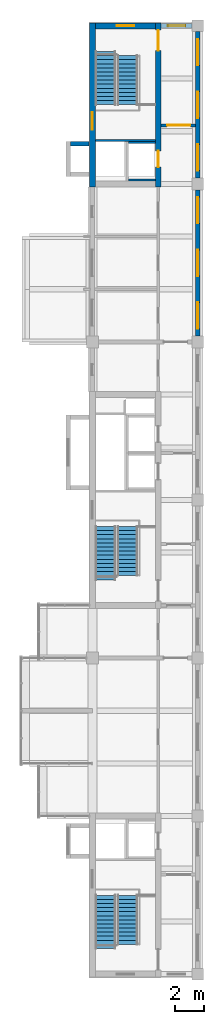
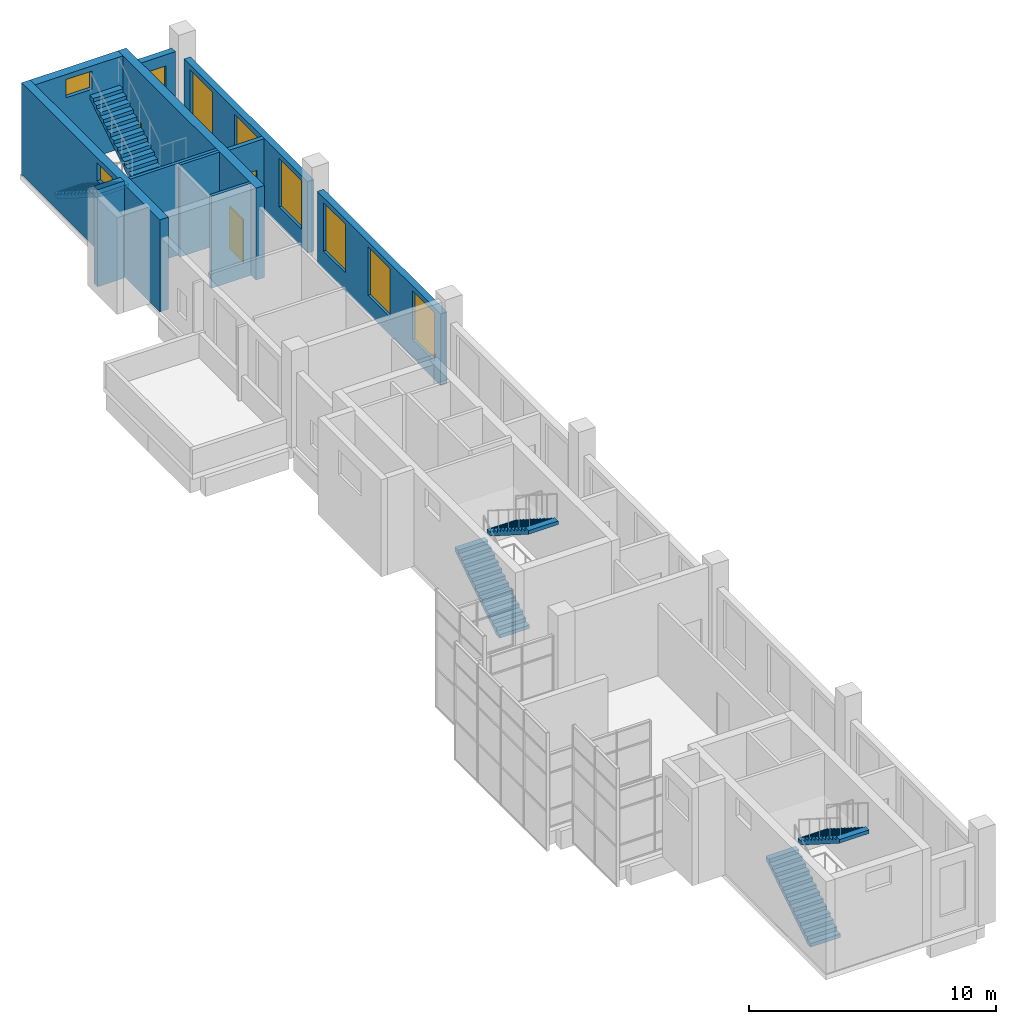
# One storey, part 8 of 9: 11 walls, 9 windows, 6 stair flights, 3 doors, 12 openings, 3 elements without a shape of their own.
"""IFC4 building model written with IfcOpenShell, lengths in metres."""

from ifc_helpers import new_model, si_unit, direction, frame, frame_2d, origin, place, context, subcontext, project, spatial, polyline, rectangle, outline, extrude, material, layer, layer_set, type_object, element, fill, aggregate, save


model = new_model("IFC4")

# Units and contexts
model_context = context("Model", 3, precision=1e-05, world=origin(), true_north=direction((0.0, 1.0)))
body_context = subcontext(model_context, "Body", "Model", "MODEL_VIEW")
ifc_project = project(units=[si_unit("LENGTHUNIT", "METRE"), si_unit("AREAUNIT", "SQUARE_METRE"), si_unit("VOLUMEUNIT", "CUBIC_METRE"), si_unit("PLANEANGLEUNIT", "RADIAN"), si_unit("MASSUNIT", "GRAM", prefix="KILO")], contexts=[model_context])

# Site, building, storey
site_placement = place(None, origin())
site = spatial("IfcSite", under=ifc_project, at=site_placement, CompositionType="ELEMENT")
building_placement = place(site_placement, origin())
building = spatial("IfcBuilding", under=site, at=building_placement, Name="Basin Gate Institute", CompositionType="ELEMENT")
storey_placement = place(building_placement, frame((0.0, 0.0, 70.199951171875)))
storey = spatial("IfcBuildingStorey", under=building, at=storey_placement, Name="L14", CompositionType="ELEMENT", Elevation=70.199951171875)

# Wall, opening, door
ifc_material_1 = material(Name="Fire-rated masonry", Category="masonry")
ifc_layer_1 = layer(ifc_material_1, 0.199951171875)
ifc_layer_set_1 = layer_set([ifc_layer_1], Name="Enclosure wall PW2 200 EI 60")
wall_type_1 = type_object("IfcWallType", Name="Enclosure wall PW2 200 EI 60", PredefinedType="PARTITIONING", material=ifc_layer_set_1)
wall_1_placement = place(storey_placement, frame((65.89990234375, 93.10009765625, 0.0), z_axis=(0.0, 0.0, 1.0), x_axis=(1.0, 0.0, 0.0)))
wall_1 = element("IfcWall", 1, at=wall_1_placement, inside=storey, type_object=wall_type_1, material=ifc_layer_set_1, Name="Smoke lobby enclosure wall PW2 L14", PredefinedType="PARTITIONING", context=body_context, shape_type="SweptSolid", body=[
    extrude(rectangle(XDim=2.35009765625, YDim=0.199951171875, at=frame_2d((1.175048828125, 0.0))), origin(), (0.0, 0.0, 1.0), 3.550048828125),
])
opening_1_placement = place(wall_1_placement, frame((0.39990234375, 0.0, 0.0)))
opening_1 = element("IfcOpeningElement", 2, at=opening_1_placement, cuts=wall_1, Name="Opening DR528", PredefinedType="OPENING", context=body_context, shape_type="SweptSolid", body=[
    extrude(rectangle(XDim=1.60009765625, YDim=2.10009765625, at=frame_2d((0.800048828125, 1.050048828125))), frame((0.0, 0.10986328125, 0.0), z_axis=(0.0, -1.0, 0.0), x_axis=(1.0, 0.0, 0.0)), (0.0, 0.0, 1.0), 0.219970703125),
])
ifc_material_2 = material(Name="Steel fire door", Category="steel")
door_type_1 = type_object("IfcDoorType", Name="FD60 Smoke lobby door pair D8", OperationType="DOUBLE_DOOR_SINGLE_SWING", PredefinedType="DOOR", material=ifc_material_2)
door_1_placement = place(opening_1_placement, origin())
door_1 = element("IfcDoor", 3, at=door_1_placement, inside=storey, type_object=door_type_1, material=ifc_material_2, Name="Smoke lobby door SS3 L14", OperationType="DOUBLE_DOOR_SINGLE_SWING", OverallHeight=2.10009765625, OverallWidth=1.60009765625, PredefinedType="DOOR", context=body_context, shape_type="SweptSolid", body=[
    extrude(rectangle(XDim=1.60009765625, YDim=2.10009765625, at=frame_2d((0.800048828125, 1.050048828125))), frame((0.0, 0.02490234375, 0.0), z_axis=(0.0, -1.0, 0.0), x_axis=(1.0, 0.0, 0.0)), (0.0, 0.0, 1.0), 0.050048828125),
])
fill(opening_1, door_1)

# Wall, opening, window
ifc_material_3 = material(Name="Aluminium-faced insulated panel wall", Category="aluminium")
ifc_layer_2 = layer(ifc_material_3, 0.300048828125)
ifc_layer_set_2 = layer_set([ifc_layer_2], Name="External wall EW5 EI 60")
wall_type_2 = type_object("IfcWallType", Name="External wall EW5 EI 60", PredefinedType="STANDARD", material=ifc_layer_set_2)
wall_2_placement = place(storey_placement, frame((65.89990234375, 99.89990234375, 0.0), z_axis=(0.0, 0.0, 1.0), x_axis=(1.0, 0.0, 0.0)))
wall_2 = element("IfcWall", 4, at=wall_2_placement, inside=storey, type_object=wall_type_2, material=ifc_layer_set_2, Name="External end wall W wing north L14 1", PredefinedType="STANDARD", context=body_context, shape_type="SweptSolid", body=[
    extrude(rectangle(XDim=2.10009765625, YDim=0.300048828125, at=frame_2d((1.050048828125, 0.0))), origin(), (0.0, 0.0, 1.0), 3.85009765625),
])
opening_2_placement = place(wall_2_placement, frame((0.449951171875, 0.0, 0.89990234375)))
opening_2 = element("IfcOpeningElement", 5, at=opening_2_placement, cuts=wall_2, Name="Opening WN4", PredefinedType="OPENING", context=body_context, shape_type="SweptSolid", body=[
    extrude(rectangle(XDim=1.199951171875, YDim=2.39990234375, at=frame_2d((0.60009765625, 1.199951171875))), frame((0.0, 0.16015625, 0.0), z_axis=(0.0, -1.0, 0.0), x_axis=(1.0, 0.0, 0.0)), (0.0, 0.0, 1.0), 0.320068359375),
])
ifc_material_4 = material(Name="Aluminium-framed double glazing", Category="aluminium")
window_type_1 = type_object("IfcWindowType", Name="Corridor end window WN4", PartitioningType="SINGLE_PANEL", PredefinedType="WINDOW", material=ifc_material_4)
window_1_placement = place(opening_2_placement, origin())
window_1 = element("IfcWindow", 6, at=window_1_placement, inside=storey, type_object=window_type_1, material=ifc_material_4, Name="Corridor end window W wing N L14", OverallHeight=2.39990234375, OverallWidth=1.199951171875, PartitioningType="SINGLE_PANEL", PredefinedType="WINDOW", context=body_context, shape_type="SweptSolid", body=[
    extrude(rectangle(XDim=1.199951171875, YDim=2.39990234375, at=frame_2d((0.60009765625, 1.199951171875))), frame((0.0, 0.030029296875, 0.0), z_axis=(0.0, -1.0, 0.0), x_axis=(1.0, 0.0, 0.0)), (0.0, 0.0, 1.0), 0.06005859375),
])
fill(opening_2, window_1)

# Wall, openings, windows
wall_3_placement = place(storey_placement, frame((68.39990234375, 78.699951171875, 0.0), z_axis=(0.0, 0.0, 1.0), x_axis=(0.0, 1.0, 0.0)))
wall_3 = element("IfcWall", 7, at=wall_3_placement, inside=storey, type_object=wall_type_2, material=ifc_layer_set_2, Name="External wall W step face L14 bay 5", PredefinedType="STANDARD", context=body_context, shape_type="SweptSolid", body=[
    extrude(rectangle(XDim=10.0, YDim=0.300048828125, at=frame_2d((5.0, 0.0))), origin(), (0.0, 0.0, 1.0), 3.550048828125),
])
opening_3_placement = place(wall_3_placement, frame((0.5, 0.0, 0.89990234375)))
opening_3 = element("IfcOpeningElement", 8, at=opening_3_placement, cuts=wall_3, Name="Opening WN1", PredefinedType="OPENING", context=body_context, shape_type="SweptSolid", body=[
    extrude(rectangle(XDim=1.800048828125, YDim=2.39990234375, at=frame_2d((0.89990234375, 1.199951171875))), frame((0.0, 0.16015625, 0.0), z_axis=(0.0, -1.0, 0.0), x_axis=(1.0, 0.0, 0.0)), (0.0, 0.0, 1.0), 0.320068359375),
])
opening_4_placement = place(wall_3_placement, frame((4.10009765625, 0.0, 0.89990234375)))
opening_4 = element("IfcOpeningElement", 9, at=opening_4_placement, cuts=wall_3, Name="Opening WV1", PredefinedType="OPENING", context=body_context, shape_type="SweptSolid", body=[
    extrude(rectangle(XDim=1.800048828125, YDim=2.39990234375, at=frame_2d((0.89990234375, 1.199951171875))), frame((0.0, 0.16015625, 0.0), z_axis=(0.0, -1.0, 0.0), x_axis=(1.0, 0.0, 0.0)), (0.0, 0.0, 1.0), 0.320068359375),
])
opening_5_placement = place(wall_3_placement, frame((7.699951171875, 0.0, 0.89990234375)))
opening_5 = element("IfcOpeningElement", 10, at=opening_5_placement, cuts=wall_3, Name="Opening WN1", PredefinedType="OPENING", context=body_context, shape_type="SweptSolid", body=[
    extrude(rectangle(XDim=1.800048828125, YDim=2.39990234375, at=frame_2d((0.89990234375, 1.199951171875))), frame((0.0, 0.16015625, 0.0), z_axis=(0.0, -1.0, 0.0), x_axis=(1.0, 0.0, 0.0)), (0.0, 0.0, 1.0), 0.320068359375),
])
ifc_material_5 = material(Name="Aluminium-framed double glazing", Category="aluminium")
window_type_2 = type_object("IfcWindowType", Name="Facade window WN1", PartitioningType="SINGLE_PANEL", PredefinedType="WINDOW", material=ifc_material_5)
window_2_placement = place(opening_3_placement, origin())
window_2 = element("IfcWindow", 11, at=window_2_placement, inside=storey, type_object=window_type_2, material=ifc_material_5, Name="Facade window W step face L14 bay 5.1", OverallHeight=2.39990234375, OverallWidth=1.800048828125, PartitioningType="SINGLE_PANEL", PredefinedType="WINDOW", context=body_context, shape_type="SweptSolid", body=[
    extrude(rectangle(XDim=1.800048828125, YDim=2.39990234375, at=frame_2d((0.89990234375, 1.199951171875))), frame((0.0, 0.030029296875, 0.0), z_axis=(0.0, -1.0, 0.0), x_axis=(1.0, 0.0, 0.0)), (0.0, 0.0, 1.0), 0.06005859375),
])
fill(opening_3, window_2)
window_3_placement = place(opening_5_placement, origin())
window_3 = element("IfcWindow", 12, at=window_3_placement, inside=storey, type_object=window_type_2, material=ifc_material_5, Name="Facade window W step face L14 bay 5.3", OverallHeight=2.39990234375, OverallWidth=1.800048828125, PartitioningType="SINGLE_PANEL", PredefinedType="WINDOW", context=body_context, shape_type="SweptSolid", body=[
    extrude(rectangle(XDim=1.800048828125, YDim=2.39990234375, at=frame_2d((0.89990234375, 1.199951171875))), frame((0.0, 0.030029296875, 0.0), z_axis=(0.0, -1.0, 0.0), x_axis=(1.0, 0.0, 0.0)), (0.0, 0.0, 1.0), 0.06005859375),
])
fill(opening_5, window_3)
ifc_material_6 = material(Name="Aluminium louvre blades", Category="aluminium")
window_type_3 = type_object("IfcWindowType", Name="Services louvre panel WV1", PartitioningType="SINGLE_PANEL", PredefinedType="WINDOW", material=ifc_material_6)
window_4_placement = place(opening_4_placement, origin())
window_4 = element("IfcWindow", 13, at=window_4_placement, inside=storey, type_object=window_type_3, material=ifc_material_6, Name="Services louvre panel W step face L14 bay 5.2", OverallHeight=2.39990234375, OverallWidth=1.800048828125, PartitioningType="SINGLE_PANEL", PredefinedType="WINDOW", context=body_context, shape_type="SweptSolid", body=[
    extrude(rectangle(XDim=1.800048828125, YDim=2.39990234375, at=frame_2d((0.89990234375, 1.199951171875))), frame((0.0, 0.030029296875, 0.0), z_axis=(0.0, -1.0, 0.0), x_axis=(1.0, 0.0, 0.0)), (0.0, 0.0, 1.0), 0.06005859375),
])
fill(opening_4, window_4)

wall_4_placement = place(storey_placement, frame((68.39990234375, 89.5, 0.0), z_axis=(0.0, 0.0, 1.0), x_axis=(0.0, 1.0, 0.0)))
wall_4 = element("IfcWall", 14, at=wall_4_placement, inside=storey, type_object=wall_type_2, material=ifc_layer_set_2, Name="External wall W step face L14 bay 6", PredefinedType="STANDARD", context=body_context, shape_type="SweptSolid", body=[
    extrude(rectangle(XDim=10.0, YDim=0.300048828125, at=frame_2d((5.0, 0.0))), origin(), (0.0, 0.0, 1.0), 3.550048828125),
])
opening_6_placement = place(wall_4_placement, frame((0.5, 0.0, 0.89990234375)))
opening_6 = element("IfcOpeningElement", 15, at=opening_6_placement, cuts=wall_4, Name="Opening WN6", PredefinedType="OPENING", context=body_context, shape_type="SweptSolid", body=[
    extrude(rectangle(XDim=1.800048828125, YDim=2.39990234375, at=frame_2d((0.89990234375, 1.199951171875))), frame((0.0, 0.16015625, 0.0), z_axis=(0.0, -1.0, 0.0), x_axis=(1.0, 0.0, 0.0)), (0.0, 0.0, 1.0), 0.320068359375),
])
opening_7_placement = place(wall_4_placement, frame((4.10009765625, 0.0, 0.89990234375)))
opening_7 = element("IfcOpeningElement", 16, at=opening_7_placement, cuts=wall_4, Name="Opening WN6", PredefinedType="OPENING", context=body_context, shape_type="SweptSolid", body=[
    extrude(rectangle(XDim=1.800048828125, YDim=2.39990234375, at=frame_2d((0.89990234375, 1.199951171875))), frame((0.0, 0.16015625, 0.0), z_axis=(0.0, -1.0, 0.0), x_axis=(1.0, 0.0, 0.0)), (0.0, 0.0, 1.0), 0.320068359375),
])
opening_8_placement = place(wall_4_placement, frame((7.699951171875, 0.0, 0.89990234375)))
opening_8 = element("IfcOpeningElement", 17, at=opening_8_placement, cuts=wall_4, Name="Opening WN6", PredefinedType="OPENING", context=body_context, shape_type="SweptSolid", body=[
    extrude(rectangle(XDim=1.800048828125, YDim=2.39990234375, at=frame_2d((0.89990234375, 1.199951171875))), frame((0.0, 0.16015625, 0.0), z_axis=(0.0, -1.0, 0.0), x_axis=(1.0, 0.0, 0.0)), (0.0, 0.0, 1.0), 0.320068359375),
])
ifc_material_7 = material(Name="Fire-resistant glazing in steel-free frame", Category="steel")
window_type_4 = type_object("IfcWindowType", Name="Fire-rated fixed step window WN6", PartitioningType="SINGLE_PANEL", PredefinedType="WINDOW", material=ifc_material_7)
window_5_placement = place(opening_6_placement, origin())
window_5 = element("IfcWindow", 18, at=window_5_placement, inside=storey, type_object=window_type_4, material=ifc_material_7, Name="Fire-rated fixed step window W step face L14 bay 6.1", OverallHeight=2.39990234375, OverallWidth=1.800048828125, PartitioningType="SINGLE_PANEL", PredefinedType="WINDOW", context=body_context, shape_type="SweptSolid", body=[
    extrude(rectangle(XDim=1.800048828125, YDim=2.39990234375, at=frame_2d((0.89990234375, 1.199951171875))), frame((0.0, 0.030029296875, 0.0), z_axis=(0.0, -1.0, 0.0), x_axis=(1.0, 0.0, 0.0)), (0.0, 0.0, 1.0), 0.06005859375),
])
fill(opening_6, window_5)
window_6_placement = place(opening_7_placement, origin())
window_6 = element("IfcWindow", 19, at=window_6_placement, inside=storey, type_object=window_type_4, material=ifc_material_7, Name="Fire-rated fixed step window W step face L14 bay 6.2", OverallHeight=2.39990234375, OverallWidth=1.800048828125, PartitioningType="SINGLE_PANEL", PredefinedType="WINDOW", context=body_context, shape_type="SweptSolid", body=[
    extrude(rectangle(XDim=1.800048828125, YDim=2.39990234375, at=frame_2d((0.89990234375, 1.199951171875))), frame((0.0, 0.030029296875, 0.0), z_axis=(0.0, -1.0, 0.0), x_axis=(1.0, 0.0, 0.0)), (0.0, 0.0, 1.0), 0.06005859375),
])
fill(opening_7, window_6)
window_7_placement = place(opening_8_placement, origin())
window_7 = element("IfcWindow", 20, at=window_7_placement, inside=storey, type_object=window_type_4, material=ifc_material_7, Name="Fire-rated fixed step window W step face L14 bay 6.3", OverallHeight=2.39990234375, OverallWidth=1.800048828125, PartitioningType="SINGLE_PANEL", PredefinedType="WINDOW", context=body_context, shape_type="SweptSolid", body=[
    extrude(rectangle(XDim=1.800048828125, YDim=2.39990234375, at=frame_2d((0.89990234375, 1.199951171875))), frame((0.0, 0.030029296875, 0.0), z_axis=(0.0, -1.0, 0.0), x_axis=(1.0, 0.0, 0.0)), (0.0, 0.0, 1.0), 0.06005859375),
])
fill(opening_8, window_7)

# Walls
ifc_material_8 = material(Name="Concrete 40 MPa", Category="concrete")
ifc_layer_3 = layer(ifc_material_8, 0.14990234375)
ifc_layer_set_3 = layer_set([ifc_layer_3], Name="Concrete 40 MPa")
wall_type_3 = type_object("IfcWallType", Name="Wall LS1 lift shaft enclosure R60", PredefinedType="SOLIDWALL", material=ifc_layer_set_3)
for number, where, z_axis, x_axis, name in (
    (21, (63.64990234375, 91.925048828125, 0.0), (0.0, 0.0, 1.0), (1.0, 0.0, 0.0), "Lift shaft enclosure LP3 L14 RL"),
    (22, (63.64990234375, 89.375, 0.0), (0.0, 0.0, 1.0), (1.0, 0.0, 0.0), "Lift shaft enclosure LP3 L14 RH"),
):
    element("IfcWall", number, at=place(storey_placement, frame(where, z_axis=z_axis, x_axis=x_axis)), inside=storey, type_object=wall_type_3, material=ifc_layer_set_3, Name=name, PredefinedType="SOLIDWALL", context=body_context, shape_type="SweptSolid", body=[
        extrude(rectangle(XDim=1.85009765625, YDim=0.14990234375, at=frame_2d((0.925048828125, 0.0))), origin(), (0.0, 0.0, 1.0), 4.550048828125),
    ])
ifc_material_9 = material(Name="Concrete 40 MPa", Category="concrete")
ifc_layer_4 = layer(ifc_material_9, 0.14990234375)
ifc_layer_set_4 = layer_set([ifc_layer_4], Name="Concrete 40 MPa")
wall_type_4 = type_object("IfcWallType", Name="Wall SE1 stair enclosure R60", PredefinedType="SOLIDWALL", material=ifc_layer_set_4)
wall_5_placement = place(storey_placement, frame((61.39990234375, 92.074951171875, 0.0), z_axis=(0.0, 0.0, 1.0), x_axis=(1.0, 0.0, 0.0)))
element("IfcWall", 23, at=wall_5_placement, inside=storey, type_object=wall_type_4, material=ifc_layer_set_4, Name="Stair enclosure wall ST-WN L14", PredefinedType="SOLIDWALL", context=body_context, shape_type="SweptSolid", body=[
    extrude(rectangle(XDim=4.10009765625, YDim=0.14990234375, at=frame_2d((2.050048828125, 0.0))), origin(), (0.0, 0.0, 1.0), 4.550048828125),
])
ifc_material_10 = material(Name="Concrete 50 MPa", Category="concrete")
ifc_layer_5 = layer(ifc_material_10, 0.300048828125)
ifc_layer_set_5 = layer_set([ifc_layer_5], Name="Concrete 50 MPa")
wall_type_5 = type_object("IfcWallType", Name="Wall SK1 R60", PredefinedType="SHEAR", material=ifc_layer_set_5)
wall_6_placement = place(storey_placement, frame((60.949951171875, 91.85009765625, 0.0), z_axis=(0.0, 0.0, 1.0), x_axis=(-1.0, 0.0, 0.0)))
element("IfcWall", 24, at=wall_6_placement, inside=storey, type_object=wall_type_5, material=ifc_layer_set_5, Name="Spine riser stack wall SK1 WN B L14", PredefinedType="SHEAR", context=body_context, shape_type="SweptSolid", body=[
    extrude(rectangle(XDim=1.25, YDim=0.300048828125, at=frame_2d((0.625, 0.0))), origin(), (0.0, 0.0, 1.0), 4.800048828125),
])

# Wall, opening, window
ifc_material_11 = material(Name="Concrete 50 MPa", Category="concrete")
ifc_layer_6 = layer(ifc_material_11, 0.39990234375)
ifc_layer_set_6 = layer_set([ifc_layer_6], Name="Concrete 50 MPa")
wall_type_6 = type_object("IfcWallType", Name="Wall SW2 R60", PredefinedType="SHEAR", material=ifc_layer_set_6)
wall_7_placement = place(storey_placement, frame((61.199951171875, 88.89990234375, 0.0), z_axis=(0.0, 0.0, 1.0), x_axis=(0.0, 1.0, 0.0)))
wall_7 = element("IfcWall", 25, at=wall_7_placement, inside=storey, type_object=wall_type_6, material=ifc_layer_set_6, Name="WALL/L14/WN/L", PredefinedType="SHEAR", context=body_context, shape_type="SweptSolid", body=[
    extrude(rectangle(XDim=11.2001953125, YDim=0.39990234375, at=frame_2d((5.60009765625, 0.0))), origin(), (0.0, 0.0, 1.0), 4.550048828125),
])
opening_9_placement = place(wall_7_placement, frame((3.889892578125, 0.0, 3.39990234375)))
opening_9 = element("IfcOpeningElement", 26, at=opening_9_placement, cuts=wall_7, Name="Opening WT3", PredefinedType="OPENING", context=body_context, shape_type="SweptSolid", body=[
    extrude(rectangle(XDim=1.199951171875, YDim=0.89990234375, at=frame_2d((0.60009765625, 0.449951171875))), frame((0.0, 0.2099609375, 0.0), z_axis=(0.0, -1.0, 0.0), x_axis=(1.0, 0.0, 0.0)), (0.0, 0.0, 1.0), 0.419921875),
])
ifc_material_12 = material(Name="Fire-resistant glazing in steel-free frame", Category="steel")
window_type_5 = type_object("IfcWindowType", Name="Rated stair window EI 60 WT3", PartitioningType="SINGLE_PANEL", PredefinedType="WINDOW", material=ifc_material_12)
window_8_placement = place(opening_9_placement, origin())
window_8 = element("IfcWindow", 27, at=window_8_placement, inside=storey, type_object=window_type_5, material=ifc_material_12, Name="Rated stair window EI 60 WN landing L14", OverallHeight=0.89990234375, OverallWidth=1.199951171875, PartitioningType="SINGLE_PANEL", PredefinedType="WINDOW", context=body_context, shape_type="SweptSolid", body=[
    extrude(rectangle(XDim=1.199951171875, YDim=0.89990234375, at=frame_2d((0.60009765625, 0.449951171875))), frame((0.0, 0.030029296875, 0.0), z_axis=(0.0, -1.0, 0.0), x_axis=(1.0, 0.0, 0.0)), (0.0, 0.0, 1.0), 0.06005859375),
])
fill(opening_9, window_8)

# Wall, openings, doors
wall_8_placement = place(storey_placement, frame((65.699951171875, 88.89990234375, 0.0), z_axis=(0.0, 0.0, 1.0), x_axis=(0.0, 1.0, 0.0)))
wall_8 = element("IfcWall", 28, at=wall_8_placement, inside=storey, type_object=wall_type_6, material=ifc_layer_set_6, Name="WALL/L14/WN/C", PredefinedType="SHEAR", context=body_context, shape_type="SweptSolid", body=[
    extrude(rectangle(XDim=11.2001953125, YDim=0.39990234375, at=frame_2d((5.60009765625, 0.0))), origin(), (0.0, 0.0, 1.0), 4.550048828125),
])
opening_10_placement = place(wall_8_placement, frame((9.300048828125, 0.0, 0.0)))
opening_10 = element("IfcOpeningElement", 29, at=opening_10_placement, cuts=wall_8, Name="Opening DS072", PredefinedType="OPENING", context=body_context, shape_type="SweptSolid", body=[
    extrude(rectangle(XDim=1.39990234375, YDim=2.10009765625, at=frame_2d((0.699951171875, 1.050048828125))), frame((0.0, 0.2099609375, 0.0), z_axis=(0.0, -1.0, 0.0), x_axis=(1.0, 0.0, 0.0)), (0.0, 0.0, 1.0), 0.419921875),
])
opening_11_placement = place(wall_8_placement, frame((1.35009765625, 0.0, 0.0)))
opening_11 = element("IfcOpeningElement", 30, at=opening_11_placement, cuts=wall_8, Name="Opening LD069", PredefinedType="OPENING", context=body_context, shape_type="SweptSolid", body=[
    extrude(rectangle(XDim=1.10009765625, YDim=2.10009765625, at=frame_2d((0.550048828125, 1.050048828125))), frame((0.0, 0.2099609375, 0.0), z_axis=(0.0, -1.0, 0.0), x_axis=(1.0, 0.0, 0.0)), (0.0, 0.0, 1.0), 0.419921875),
])
ifc_material_13 = material(Name="Steel fire door", Category="steel")
door_type_2 = type_object("IfcDoorType", Name="FD30 Stair enclosure door DS", OperationType="DOUBLE_DOOR_SINGLE_SWING", PredefinedType="DOOR", material=ifc_material_13)
door_2_placement = place(opening_10_placement, origin())
door_2 = element("IfcDoor", 31, at=door_2_placement, inside=storey, type_object=door_type_2, material=ifc_material_13, Name="Stair enclosure door ST-WN L14", OperationType="DOUBLE_DOOR_SINGLE_SWING", OverallHeight=2.10009765625, OverallWidth=1.39990234375, PredefinedType="DOOR", context=body_context, shape_type="SweptSolid", body=[
    extrude(rectangle(XDim=1.39990234375, YDim=2.10009765625, at=frame_2d((0.699951171875, 1.050048828125))), frame((0.0, 0.02490234375, 0.0), z_axis=(0.0, -1.0, 0.0), x_axis=(1.0, 0.0, 0.0)), (0.0, 0.0, 1.0), 0.050048828125),
])
fill(opening_10, door_2)
ifc_material_14 = material(Name="Stainless steel", Category="steel")
door_type_3 = type_object("IfcDoorType", Name="FD60 Lift landing door LD", OperationType="SLIDING_TO_LEFT", PredefinedType="DOOR", material=ifc_material_14)
door_3_placement = place(opening_11_placement, origin())
door_3 = element("IfcDoor", 32, at=door_3_placement, inside=storey, type_object=door_type_3, material=ifc_material_14, Name="Lift landing door LP3 L14", OperationType="SLIDING_TO_LEFT", OverallHeight=2.10009765625, OverallWidth=1.10009765625, PredefinedType="DOOR", context=body_context, shape_type="SweptSolid", body=[
    extrude(rectangle(XDim=1.10009765625, YDim=2.10009765625, at=frame_2d((0.550048828125, 1.050048828125))), frame((0.0, 0.02490234375, 0.0), z_axis=(0.0, -1.0, 0.0), x_axis=(1.0, 0.0, 0.0)), (0.0, 0.0, 1.0), 0.050048828125),
])
fill(opening_11, door_3)

# Wall, opening, window
wall_9_placement = place(storey_placement, frame((61.39990234375, 99.89990234375, 0.0), z_axis=(0.0, 0.0, 1.0), x_axis=(1.0, 0.0, 0.0)))
wall_9 = element("IfcWall", 33, at=wall_9_placement, inside=storey, type_object=wall_type_6, material=ifc_layer_set_6, Name="WALL/L14/WN/N", PredefinedType="SHEAR", context=body_context, shape_type="SweptSolid", body=[
    extrude(rectangle(XDim=4.10009765625, YDim=0.39990234375, at=frame_2d((2.050048828125, 0.0))), origin(), (0.0, 0.0, 1.0), 4.550048828125),
])
opening_12_placement = place(wall_9_placement, frame((1.449951171875, 0.0, 3.39990234375)))
opening_12 = element("IfcOpeningElement", 34, at=opening_12_placement, cuts=wall_9, Name="Opening WT3", PredefinedType="OPENING", context=body_context, shape_type="SweptSolid", body=[
    extrude(rectangle(XDim=1.199951171875, YDim=0.89990234375, at=frame_2d((0.60009765625, 0.449951171875))), frame((0.0, 0.2099609375, 0.0), z_axis=(0.0, -1.0, 0.0), x_axis=(1.0, 0.0, 0.0)), (0.0, 0.0, 1.0), 0.419921875),
])
window_9_placement = place(opening_12_placement, origin())
window_9 = element("IfcWindow", 35, at=window_9_placement, inside=storey, type_object=window_type_5, material=ifc_material_12, Name="Rated stair window EI 60 WN end L14", OverallHeight=0.89990234375, OverallWidth=1.199951171875, PartitioningType="SINGLE_PANEL", PredefinedType="WINDOW", context=body_context, shape_type="SweptSolid", body=[
    extrude(rectangle(XDim=1.199951171875, YDim=0.89990234375, at=frame_2d((0.60009765625, 0.449951171875))), frame((0.0, 0.030029296875, 0.0), z_axis=(0.0, -1.0, 0.0), x_axis=(1.0, 0.0, 0.0)), (0.0, 0.0, 1.0), 0.06005859375),
])
fill(opening_12, window_9)

# Stair, stair flights
ifc_material_15 = material(Name="Concrete 40 MPa", Category="concrete")
stair_type = type_object("IfcStairType", Name="Stair ST", PredefinedType="HALF_TURN_STAIR", material=ifc_material_15)
stair_1_placement = place(storey_placement, origin())
stair_1 = element("IfcStair", 36, at=stair_1_placement, inside=storey, type_object=stair_type, material=ifc_material_15, Name="Special safe stair ST-WS L14", PredefinedType="HALF_TURN_STAIR")
ifc_material_16 = material(Name="Concrete 40 MPa", Category="concrete")
stair_flight_type = type_object("IfcStairFlightType", Name="Stair flight FL", PredefinedType="STRAIGHT", material=ifc_material_16)
stair_flight_1_placement = place(storey_placement, frame((62.10009765625, 36.85009765625, 0.0), z_axis=(0.0, 0.0, 1.0), x_axis=(0.0, 1.0, 0.0)))
stair_flight_1 = element("IfcStairFlight", 37, at=stair_flight_1_placement, type_object=stair_flight_type, material=ifc_material_16, Name="Stair flight ST-WS-F1 L14", NumberOfRisers=14, NumberOfTreads=13, PredefinedType="STRAIGHT", RiserHeight=0.177777778, TreadLength=0.28, context=body_context, shape_type="SweptSolid", body=[
    extrude(outline(polyline([(0.0, 0.0), (0.0, 0.177734375), (0.280029296875, 0.177734375), (0.280029296875, 0.35546875), (0.56005859375, 0.35546875), (0.56005859375, 0.533447265625), (0.840087890625, 0.533447265625), (0.840087890625, 0.711181640625), (1.1201171875, 0.711181640625), (1.1201171875, 0.888916015625), (1.39990234375, 0.888916015625), (1.39990234375, 1.066650390625), (1.679931640625, 1.066650390625), (1.679931640625, 1.244384765625), (1.9599609375, 1.244384765625), (1.9599609375, 1.422119140625), (2.239990234375, 1.422119140625), (2.239990234375, 1.60009765625), (2.52001953125, 1.60009765625), (2.52001953125, 1.77783203125), (2.800048828125, 1.77783203125), (2.800048828125, 1.95556640625), (3.080078125, 1.95556640625), (3.080078125, 2.13330078125), (3.360107421875, 2.13330078125), (3.360107421875, 2.31103515625), (3.639892578125, 2.31103515625), (3.639892578125, 2.48876953125), (3.639892578125, 2.133544921875), (0.27978515625, 0.0), (0.0, 0.0)])), frame((0.0, 0.699951171875, 0.0), z_axis=(0.0, -1.0, 0.0), x_axis=(1.0, 0.0, 0.0)), (0.0, 0.0, 1.0), 1.39990234375),
])
stair_flight_2_placement = place(storey_placement, frame((63.60009765625, 40.489990234375, 2.489013671875), z_axis=(0.0, 0.0, 1.0), x_axis=(0.0, -1.0, 0.0)))
stair_flight_2 = element("IfcStairFlight", 38, at=stair_flight_2_placement, type_object=stair_flight_type, material=ifc_material_16, Name="Stair flight ST-WS-F2 L14", NumberOfRisers=13, NumberOfTreads=12, PredefinedType="STRAIGHT", RiserHeight=0.177777778, TreadLength=0.28, context=body_context, shape_type="SweptSolid", body=[
    extrude(outline(polyline([(0.0, 0.0), (0.0, 0.177734375), (0.280029296875, 0.177734375), (0.280029296875, 0.35546875), (0.56005859375, 0.35546875), (0.56005859375, 0.533447265625), (0.840087890625, 0.533447265625), (0.840087890625, 0.711181640625), (1.1201171875, 0.711181640625), (1.1201171875, 0.888916015625), (1.39990234375, 0.888916015625), (1.39990234375, 1.066650390625), (1.679931640625, 1.066650390625), (1.679931640625, 1.244384765625), (1.9599609375, 1.244384765625), (1.9599609375, 1.422119140625), (2.239990234375, 1.422119140625), (2.239990234375, 1.60009765625), (2.52001953125, 1.60009765625), (2.52001953125, 1.77783203125), (2.800048828125, 1.77783203125), (2.800048828125, 1.95556640625), (3.080078125, 1.95556640625), (3.080078125, 2.13330078125), (3.360107421875, 2.13330078125), (3.360107421875, 2.31103515625), (3.360107421875, 1.955810546875), (0.27978515625, 0.0), (0.0, 0.0)])), frame((0.0, 0.699951171875, 0.0), z_axis=(0.0, -1.0, 0.0), x_axis=(1.0, 0.0, 0.0)), (0.0, 0.0, 1.0), 1.39990234375),
])
aggregate(stair_1, [stair_flight_1, stair_flight_2])

stair_2_placement = place(storey_placement, origin())
stair_2 = element("IfcStair", 39, at=stair_2_placement, inside=storey, type_object=stair_type, material=ifc_material_15, Name="Special safe stair ST-WM L14", PredefinedType="HALF_TURN_STAIR")
stair_flight_3_placement = place(storey_placement, frame((62.10009765625, 62.050048828125, 0.0), z_axis=(0.0, 0.0, 1.0), x_axis=(0.0, 1.0, 0.0)))
stair_flight_3 = element("IfcStairFlight", 40, at=stair_flight_3_placement, type_object=stair_flight_type, material=ifc_material_16, Name="Stair flight ST-WM-F1 L14", NumberOfRisers=14, NumberOfTreads=13, PredefinedType="STRAIGHT", RiserHeight=0.177777778, TreadLength=0.28, context=body_context, shape_type="SweptSolid", body=[
    extrude(outline(polyline([(0.0, 0.0), (0.0, 0.177734375), (0.280029296875, 0.177734375), (0.280029296875, 0.35546875), (0.56005859375, 0.35546875), (0.56005859375, 0.533447265625), (0.840087890625, 0.533447265625), (0.840087890625, 0.711181640625), (1.1201171875, 0.711181640625), (1.1201171875, 0.888916015625), (1.39990234375, 0.888916015625), (1.39990234375, 1.066650390625), (1.679931640625, 1.066650390625), (1.679931640625, 1.244384765625), (1.9599609375, 1.244384765625), (1.9599609375, 1.422119140625), (2.239990234375, 1.422119140625), (2.239990234375, 1.60009765625), (2.52001953125, 1.60009765625), (2.52001953125, 1.77783203125), (2.800048828125, 1.77783203125), (2.800048828125, 1.95556640625), (3.080078125, 1.95556640625), (3.080078125, 2.13330078125), (3.360107421875, 2.13330078125), (3.360107421875, 2.31103515625), (3.639892578125, 2.31103515625), (3.639892578125, 2.48876953125), (3.639892578125, 2.133544921875), (0.27978515625, 0.0), (0.0, 0.0)])), frame((0.0, 0.699951171875, 0.0), z_axis=(0.0, -1.0, 0.0), x_axis=(1.0, 0.0, 0.0)), (0.0, 0.0, 1.0), 1.39990234375),
])
stair_flight_4_placement = place(storey_placement, frame((63.60009765625, 65.68994140625, 2.489013671875), z_axis=(0.0, 0.0, 1.0), x_axis=(0.0, -1.0, 0.0)))
stair_flight_4 = element("IfcStairFlight", 41, at=stair_flight_4_placement, type_object=stair_flight_type, material=ifc_material_16, Name="Stair flight ST-WM-F2 L14", NumberOfRisers=13, NumberOfTreads=12, PredefinedType="STRAIGHT", RiserHeight=0.177777778, TreadLength=0.28, context=body_context, shape_type="SweptSolid", body=[
    extrude(outline(polyline([(0.0, 0.0), (0.0, 0.177734375), (0.280029296875, 0.177734375), (0.280029296875, 0.35546875), (0.56005859375, 0.35546875), (0.56005859375, 0.533447265625), (0.840087890625, 0.533447265625), (0.840087890625, 0.711181640625), (1.1201171875, 0.711181640625), (1.1201171875, 0.888916015625), (1.39990234375, 0.888916015625), (1.39990234375, 1.066650390625), (1.679931640625, 1.066650390625), (1.679931640625, 1.244384765625), (1.9599609375, 1.244384765625), (1.9599609375, 1.422119140625), (2.239990234375, 1.422119140625), (2.239990234375, 1.60009765625), (2.52001953125, 1.60009765625), (2.52001953125, 1.77783203125), (2.800048828125, 1.77783203125), (2.800048828125, 1.95556640625), (3.080078125, 1.95556640625), (3.080078125, 2.13330078125), (3.360107421875, 2.13330078125), (3.360107421875, 2.31103515625), (3.360107421875, 1.955810546875), (0.27978515625, 0.0), (0.0, 0.0)])), frame((0.0, 0.699951171875, 0.0), z_axis=(0.0, -1.0, 0.0), x_axis=(1.0, 0.0, 0.0)), (0.0, 0.0, 1.0), 1.39990234375),
])
aggregate(stair_2, [stair_flight_3, stair_flight_4])

stair_3_placement = place(storey_placement, origin())
stair_3 = element("IfcStair", 42, at=stair_3_placement, inside=storey, type_object=stair_type, material=ifc_material_15, Name="Special safe stair ST-WN L14", PredefinedType="HALF_TURN_STAIR")
stair_flight_5_placement = place(storey_placement, frame((62.10009765625, 98.14990234375, 0.0), z_axis=(0.0, 0.0, 1.0), x_axis=(0.0, -1.0, 0.0)))
stair_flight_5 = element("IfcStairFlight", 43, at=stair_flight_5_placement, type_object=stair_flight_type, material=ifc_material_16, Name="Stair flight ST-WN-F1 L14", NumberOfRisers=14, NumberOfTreads=13, PredefinedType="STRAIGHT", RiserHeight=0.177777778, TreadLength=0.28, context=body_context, shape_type="SweptSolid", body=[
    extrude(outline(polyline([(0.0, 0.0), (0.0, 0.177734375), (0.280029296875, 0.177734375), (0.280029296875, 0.35546875), (0.56005859375, 0.35546875), (0.56005859375, 0.533447265625), (0.840087890625, 0.533447265625), (0.840087890625, 0.711181640625), (1.1201171875, 0.711181640625), (1.1201171875, 0.888916015625), (1.39990234375, 0.888916015625), (1.39990234375, 1.066650390625), (1.679931640625, 1.066650390625), (1.679931640625, 1.244384765625), (1.9599609375, 1.244384765625), (1.9599609375, 1.422119140625), (2.239990234375, 1.422119140625), (2.239990234375, 1.60009765625), (2.52001953125, 1.60009765625), (2.52001953125, 1.77783203125), (2.800048828125, 1.77783203125), (2.800048828125, 1.95556640625), (3.080078125, 1.95556640625), (3.080078125, 2.13330078125), (3.360107421875, 2.13330078125), (3.360107421875, 2.31103515625), (3.639892578125, 2.31103515625), (3.639892578125, 2.48876953125), (3.639892578125, 2.133544921875), (0.27978515625, 0.0), (0.0, 0.0)])), frame((0.0, 0.699951171875, 0.0), z_axis=(0.0, -1.0, 0.0), x_axis=(1.0, 0.0, 0.0)), (0.0, 0.0, 1.0), 1.39990234375),
])
stair_flight_6_placement = place(storey_placement, frame((63.60009765625, 94.510009765625, 2.489013671875), z_axis=(0.0, 0.0, 1.0), x_axis=(0.0, 1.0, 0.0)))
stair_flight_6 = element("IfcStairFlight", 44, at=stair_flight_6_placement, type_object=stair_flight_type, material=ifc_material_16, Name="Stair flight ST-WN-F2 L14", NumberOfRisers=13, NumberOfTreads=12, PredefinedType="STRAIGHT", RiserHeight=0.177777778, TreadLength=0.28, context=body_context, shape_type="SweptSolid", body=[
    extrude(outline(polyline([(0.0, 0.0), (0.0, 0.177734375), (0.280029296875, 0.177734375), (0.280029296875, 0.35546875), (0.56005859375, 0.35546875), (0.56005859375, 0.533447265625), (0.840087890625, 0.533447265625), (0.840087890625, 0.711181640625), (1.1201171875, 0.711181640625), (1.1201171875, 0.888916015625), (1.39990234375, 0.888916015625), (1.39990234375, 1.066650390625), (1.679931640625, 1.066650390625), (1.679931640625, 1.244384765625), (1.9599609375, 1.244384765625), (1.9599609375, 1.422119140625), (2.239990234375, 1.422119140625), (2.239990234375, 1.60009765625), (2.52001953125, 1.60009765625), (2.52001953125, 1.77783203125), (2.800048828125, 1.77783203125), (2.800048828125, 1.95556640625), (3.080078125, 1.95556640625), (3.080078125, 2.13330078125), (3.360107421875, 2.13330078125), (3.360107421875, 2.31103515625), (3.360107421875, 1.955810546875), (0.27978515625, 0.0), (0.0, 0.0)])), frame((0.0, 0.699951171875, 0.0), z_axis=(0.0, -1.0, 0.0), x_axis=(1.0, 0.0, 0.0)), (0.0, 0.0, 1.0), 1.39990234375),
])
aggregate(stair_3, [stair_flight_5, stair_flight_6])

save(model, "model.ifc")
